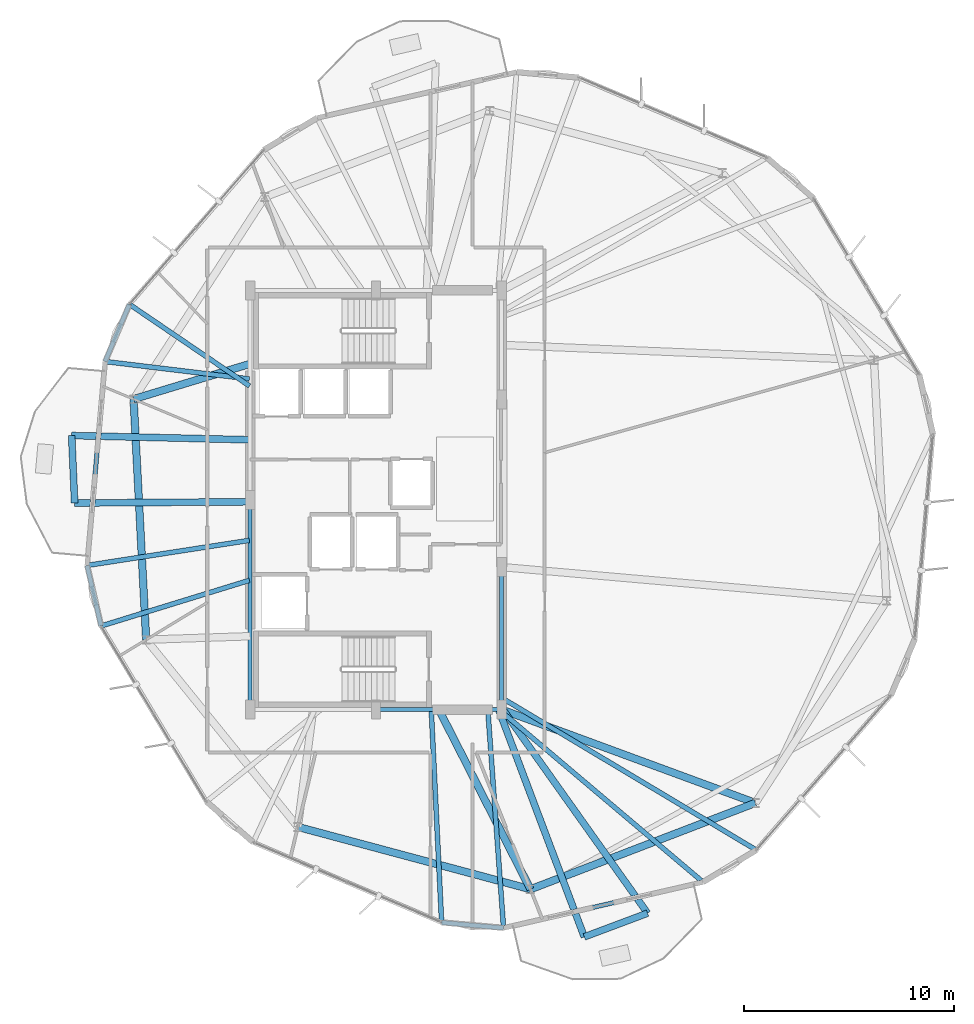
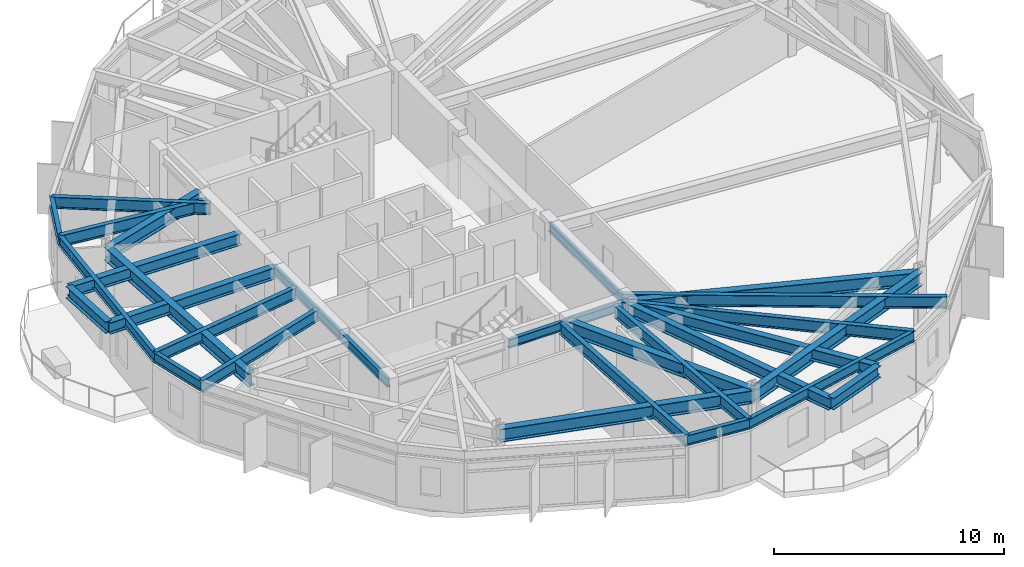
# One storey, part 5 of 27: 28 beams.
"""IFC4 building model written with IfcOpenShell, lengths in metres."""

from ifc_helpers import new_model, si_unit, direction, frame, origin, origin_2d, place, context, subcontext, project, spatial, i_section, extrude, material, material_profile, profile_set, type_object, element, save


model = new_model("IFC4")

# Units and contexts
model_context = context("Model", 3, precision=1e-05, world=origin(), true_north=direction((0.0, 1.0)))
body_context = subcontext(model_context, "Body", "Model", "MODEL_VIEW")
ifc_project = project(units=[si_unit("LENGTHUNIT", "METRE"), si_unit("AREAUNIT", "SQUARE_METRE"), si_unit("VOLUMEUNIT", "CUBIC_METRE"), si_unit("PLANEANGLEUNIT", "RADIAN"), si_unit("MASSUNIT", "GRAM", prefix="KILO")], contexts=[model_context])

# Site, building, storey
site_placement = place(None, origin())
site = spatial("IfcSite", under=ifc_project, at=site_placement, CompositionType="ELEMENT")
building_placement = place(site_placement, origin())
building = spatial("IfcBuilding", under=site, at=building_placement, Name="Soratama Intermodal Tower", CompositionType="ELEMENT")
storey_placement = place(building_placement, frame((0.0, 0.0, 212.199951171875)))
storey = spatial("IfcBuildingStorey", under=building, at=storey_placement, Name="L53", CompositionType="ELEMENT", Elevation=212.199951171875)

# Beams
ifc_material_1 = material(Name="Structural steel ASTM A992 Grade 50", Category="steel")
ifc_material_profile_1 = material_profile(ifc_material_1, i_section(OverallWidth=0.324951171875, OverallDepth=0.615966796875, WebThickness=0.013916015625, FlangeThickness=0.021484375, FilletRadius=0.013916015625, at=origin_2d()), Name="W24X117")
ifc_profile_set_1 = profile_set([ifc_material_profile_1], Name="Structural steel ASTM A992 Grade 50")
beam_type_1 = type_object("IfcBeamType", Name="BM-CANT-W24X117", PredefinedType="BEAM", material=ifc_profile_set_1)
beam_1_placement = place(storey_placement, frame((24.080078125, 28.074951171875, 2.991943359375), z_axis=(0.044324993646, -0.999017164486, 0.0), x_axis=(0.999017164486, 0.044324993646, 0.0)))
element("IfcBeam", 1, at=beam_1_placement, inside=storey, type_object=beam_type_1, Name="BM-L53-CBHDR-2", PredefinedType="BEAM", context=body_context, shape_type="SweptSolid", body=[
    extrude(i_section(OverallWidth=0.324951171875, OverallDepth=0.615966796875, WebThickness=0.013916015625, FlangeThickness=0.021484375, FilletRadius=0.013916015625, at=origin_2d()), origin(), (0.0, 0.0, 1.0), 3.22216796875),
])
beam_2_placement = place(storey_placement, frame((48.541015625, 4.154052734375, 2.991943359375), z_axis=(0.936438169224, 0.350832659853, 0.0), x_axis=(-0.350832659853, 0.936438169224, 0.0)))
element("IfcBeam", 2, at=beam_2_placement, inside=storey, type_object=beam_type_1, Name="BM-L53-CBHDR-3", PredefinedType="BEAM", context=body_context, shape_type="SweptSolid", body=[
    extrude(i_section(OverallWidth=0.324951171875, OverallDepth=0.615966796875, WebThickness=0.013916015625, FlangeThickness=0.021484375, FilletRadius=0.013916015625, at=origin_2d()), origin(), (0.0, 0.0, 1.0), 3.220458984375),
])
beam_3_placement = place(storey_placement, frame((32.56005859375, 27.873046875, 2.991943359375), z_axis=(-0.999716673744, 0.023802777946, 0.0), x_axis=(-0.023802777946, -0.999716673744, 0.0)))
element("IfcBeam", 3, at=beam_3_placement, inside=storey, type_object=beam_type_1, Name="BM-L53-CANT-2-1", PredefinedType="BEAM", context=body_context, shape_type="SweptSolid", body=[
    extrude(i_section(OverallWidth=0.324951171875, OverallDepth=0.615966796875, WebThickness=0.013916015625, FlangeThickness=0.021484375, FilletRadius=0.013916015625, at=origin_2d()), origin(), (0.0, 0.0, 1.0), 8.482421875),
])
beam_4_placement = place(storey_placement, frame((32.56005859375, 24.9140625, 2.991943359375), z_axis=(-0.999975714217, -0.006969288119, 0.0), x_axis=(0.006969288119, -0.999975714217, 0.0)))
element("IfcBeam", 4, at=beam_4_placement, inside=storey, type_object=beam_type_1, Name="BM-L53-CANT-2-2", PredefinedType="BEAM", context=body_context, shape_type="SweptSolid", body=[
    extrude(i_section(OverallWidth=0.324951171875, OverallDepth=0.615966796875, WebThickness=0.013916015625, FlangeThickness=0.021484375, FilletRadius=0.013916015625, at=origin_2d()), origin(), (0.0, 0.0, 1.0), 8.33740234375),
])
beam_5_placement = place(storey_placement, frame((44.468994140625, 14.962890625, 2.991943359375), z_axis=(0.352542976748, -0.935795623812, 0.0), x_axis=(0.935795623812, 0.352542976748, 0.0)))
element("IfcBeam", 5, at=beam_5_placement, inside=storey, type_object=beam_type_1, Name="BM-L53-CANT-3-1", PredefinedType="BEAM", context=body_context, shape_type="SweptSolid", body=[
    extrude(i_section(OverallWidth=0.324951171875, OverallDepth=0.615966796875, WebThickness=0.013916015625, FlangeThickness=0.021484375, FilletRadius=0.013916015625, at=origin_2d()), origin(), (0.0, 0.0, 1.0), 11.550537109375),
])
beam_6_placement = place(storey_placement, frame((44.623046875, 15.04296875, 2.991943359375), z_axis=(0.579195363408, -0.815188770167, 0.0), x_axis=(0.815188770167, 0.579195363408, 0.0)))
element("IfcBeam", 6, at=beam_6_placement, inside=storey, type_object=beam_type_1, Name="BM-L53-CANT-3-2", PredefinedType="BEAM", context=body_context, shape_type="SweptSolid", body=[
    extrude(i_section(OverallWidth=0.324951171875, OverallDepth=0.615966796875, WebThickness=0.013916015625, FlangeThickness=0.021484375, FilletRadius=0.013916015625, at=origin_2d()), origin(), (0.0, 0.0, 1.0), 11.971435546875),
])
ifc_material_2 = material(Name="Structural steel ASTM A992 Grade 50", Category="steel")
ifc_material_profile_2 = material_profile(ifc_material_2, i_section(OverallWidth=0.19091796875, OverallDepth=0.4599609375, WebThickness=0.010009765625, FlangeThickness=0.01611328125, FilletRadius=0.010986328125, at=origin_2d()), Name="W18X55")
ifc_profile_set_2 = profile_set([ifc_material_profile_2], Name="Structural steel ASTM A992 Grade 50")
beam_type_2 = type_object("IfcBeamType", Name="BM-FLR-W18X55", PredefinedType="BEAM", material=ifc_profile_set_2)
beam_7_placement = place(storey_placement, frame((38.60009765625, 15.0, 3.070068359375), z_axis=(1.0, 0.0, 0.0), x_axis=(0.0, 1.0, 0.0)))
element("IfcBeam", 7, at=beam_7_placement, inside=storey, type_object=beam_type_2, Name="BM-L53-CRING-02", PredefinedType="BEAM", context=body_context, shape_type="SweptSolid", body=[
    extrude(i_section(OverallWidth=0.19091796875, OverallDepth=0.4599609375, WebThickness=0.010009765625, FlangeThickness=0.01611328125, FilletRadius=0.010986328125, at=origin_2d()), origin(), (0.0, 0.0, 1.0), 6.0),
])
beam_8_placement = place(storey_placement, frame((44.60009765625, 15.0, 3.070068359375), z_axis=(0.0, 1.0, 0.0), x_axis=(-1.0, 0.0, 0.0)))
element("IfcBeam", 8, at=beam_8_placement, inside=storey, type_object=beam_type_2, Name="BM-L53-CRING-03", PredefinedType="BEAM", context=body_context, shape_type="SweptSolid", body=[
    extrude(i_section(OverallWidth=0.19091796875, OverallDepth=0.4599609375, WebThickness=0.010009765625, FlangeThickness=0.01611328125, FilletRadius=0.010986328125, at=origin_2d()), origin(), (0.0, 0.0, 1.0), 6.800048828125),
])
beam_9_placement = place(storey_placement, frame((32.60009765625, 25.0, 3.070068359375), z_axis=(0.0, -1.0, 0.0), x_axis=(1.0, 0.0, 0.0)))
element("IfcBeam", 9, at=beam_9_placement, inside=storey, type_object=beam_type_2, Name="BM-L53-CRING-09", PredefinedType="BEAM", context=body_context, shape_type="SweptSolid", body=[
    extrude(i_section(OverallWidth=0.19091796875, OverallDepth=0.4599609375, WebThickness=0.010009765625, FlangeThickness=0.01611328125, FilletRadius=0.010986328125, at=origin_2d()), origin(), (0.0, 0.0, 1.0), 10.0),
])
ifc_material_3 = material(Name="Structural steel ASTM A992 Grade 50", Category="steel")
ifc_material_profile_3 = material_profile(ifc_material_3, i_section(OverallWidth=0.35498046875, OverallDepth=0.695068359375, WebThickness=0.015380859375, FlangeThickness=0.02490234375, FilletRadius=0.01611328125, at=origin_2d()), Name="W27X146")
ifc_profile_set_3 = profile_set([ifc_material_profile_3], Name="Structural steel ASTM A992 Grade 50")
beam_type_3 = type_object("IfcBeamType", Name="BM-RING-W27X146", PredefinedType="BEAM", material=ifc_profile_set_3)
beam_10_placement = place(storey_placement, frame((27.033935546875, 29.81396484375, 2.95263671875), z_axis=(0.052286849724, -0.998632107108, 0.0), x_axis=(0.998632107108, 0.052286849724, 0.0)))
element("IfcBeam", 10, at=beam_10_placement, inside=storey, type_object=beam_type_3, Name="BM-L53-RING-05", PredefinedType="BEAM", context=body_context, shape_type="SweptSolid", body=[
    extrude(i_section(OverallWidth=0.35498046875, OverallDepth=0.695068359375, WebThickness=0.015380859375, FlangeThickness=0.02490234375, FilletRadius=0.01611328125, at=origin_2d()), origin(), (0.0, 0.0, 1.0), 11.49560546875),
])
beam_11_placement = place(storey_placement, frame((34.8701171875, 9.40087890625, 2.95263671875), z_axis=(0.965928616227, -0.258808632687, 0.0), x_axis=(0.258808632687, 0.965928616227, 0.0)))
element("IfcBeam", 11, at=beam_11_placement, inside=storey, type_object=beam_type_3, Name="BM-L53-RING-07", PredefinedType="BEAM", context=body_context, shape_type="SweptSolid", body=[
    extrude(i_section(OverallWidth=0.35498046875, OverallDepth=0.695068359375, WebThickness=0.015380859375, FlangeThickness=0.02490234375, FilletRadius=0.01611328125, at=origin_2d()), origin(), (0.0, 0.0, 1.0), 11.494384765625),
])
beam_12_placement = place(storey_placement, frame((45.972900390625, 6.426025390625, 2.95263671875), z_axis=(0.933603724339, 0.358307250695, 0.0), x_axis=(-0.358307250695, 0.933603724339, 0.0)))
element("IfcBeam", 12, at=beam_12_placement, inside=storey, type_object=beam_type_3, Name="BM-L53-RING-08", PredefinedType="BEAM", context=body_context, shape_type="SweptSolid", body=[
    extrude(i_section(OverallWidth=0.35498046875, OverallDepth=0.695068359375, WebThickness=0.015380859375, FlangeThickness=0.02490234375, FilletRadius=0.01611328125, at=origin_2d()), origin(), (0.0, 0.0, 1.0), 11.495361328125),
])
beam_13_placement = place(storey_placement, frame((32.60009765625, 31.5, 2.95263671875), z_axis=(-0.957056879321, -0.289900206526, 0.0), x_axis=(0.289900206526, -0.957056879321, 0.0)))
element("IfcBeam", 13, at=beam_13_placement, inside=storey, type_object=beam_type_3, Name="BM-L53-RAD-05", PredefinedType="BEAM", context=body_context, shape_type="SweptSolid", body=[
    extrude(i_section(OverallWidth=0.35498046875, OverallDepth=0.695068359375, WebThickness=0.015380859375, FlangeThickness=0.02490234375, FilletRadius=0.01611328125, at=origin_2d()), origin(), (0.0, 0.0, 1.0), 5.81591796875),
])
beam_14_placement = place(storey_placement, frame((41.60009765625, 15.0, 2.95263671875), z_axis=(0.454332323157, -0.890832273851, 0.0), x_axis=(0.890832273851, 0.454332323157, 0.0)))
element("IfcBeam", 14, at=beam_14_placement, inside=storey, type_object=beam_type_3, Name="BM-L53-RAD-08", PredefinedType="BEAM", context=body_context, shape_type="SweptSolid", body=[
    extrude(i_section(OverallWidth=0.35498046875, OverallDepth=0.695068359375, WebThickness=0.015380859375, FlangeThickness=0.02490234375, FilletRadius=0.01611328125, at=origin_2d()), origin(), (0.0, 0.0, 1.0), 9.624755859375),
])
beam_15_placement = place(storey_placement, frame((44.60009765625, 15.0, 2.95263671875), z_axis=(0.938460043872, -0.345387819785, 0.0), x_axis=(0.345387819785, 0.938460043872, 0.0)))
element("IfcBeam", 15, at=beam_15_placement, inside=storey, type_object=beam_type_3, Name="BM-L53-RAD-09", PredefinedType="BEAM", context=body_context, shape_type="SweptSolid", body=[
    extrude(i_section(OverallWidth=0.35498046875, OverallDepth=0.695068359375, WebThickness=0.015380859375, FlangeThickness=0.02490234375, FilletRadius=0.01611328125, at=origin_2d()), origin(), (0.0, 0.0, 1.0), 12.898681640625),
])
ifc_material_4 = material(Name="Structural steel ASTM A992 Grade 50", Category="steel")
ifc_material_profile_4 = material_profile(ifc_material_4, i_section(OverallWidth=0.2099609375, OverallDepth=0.537109375, WebThickness=0.010986328125, FlangeThickness=0.017333984375, FilletRadius=0.012939453125, at=origin_2d()), Name="W21X68")
ifc_profile_set_4 = profile_set([ifc_material_profile_4], Name="Structural steel ASTM A992 Grade 50")
beam_type_4 = type_object("IfcBeamType", Name="BM-SPN-W21X68", PredefinedType="SPANDREL", material=ifc_profile_set_4)
beam_16_placement = place(storey_placement, frame((26.833984375, 34.337890625, 3.031494140625), z_axis=(-0.391325355633, -0.920252392574, 0.0), x_axis=(0.920252392574, -0.391325355633, 0.0)))
element("IfcBeam", 16, at=beam_16_placement, inside=storey, type_object=beam_type_4, Name="BS-L53-CRN03", PredefinedType="SPANDREL", context=body_context, shape_type="SweptSolid", body=[
    extrude(i_section(OverallWidth=0.2099609375, OverallDepth=0.537109375, WebThickness=0.010986328125, FlangeThickness=0.017333984375, FilletRadius=0.012939453125, at=origin_2d()), origin(), (0.0, 0.0, 1.0), 2.966552734375),
])
beam_17_placement = place(storey_placement, frame((25.673095703125, 31.60791015625, 3.031494140625), z_axis=(-0.087847129731, -0.996133967797, 0.0), x_axis=(0.996133967797, -0.087847129731, 0.0)))
element("IfcBeam", 17, at=beam_17_placement, inside=storey, type_object=beam_type_4, Name="BS-L53-F04", PredefinedType="SPANDREL", context=body_context, shape_type="SweptSolid", body=[
    extrude(i_section(OverallWidth=0.2099609375, OverallDepth=0.537109375, WebThickness=0.010986328125, FlangeThickness=0.017333984375, FilletRadius=0.012939453125, at=origin_2d()), origin(), (0.0, 0.0, 1.0), 9.768798828125),
])
beam_18_placement = place(storey_placement, frame((24.81494140625, 21.876953125, 3.031494140625), z_axis=(0.224192248177, -0.974544937834, 0.0), x_axis=(0.974544937834, 0.224192248177, 0.0)))
element("IfcBeam", 18, at=beam_18_placement, inside=storey, type_object=beam_type_4, Name="BS-L53-CRN04", PredefinedType="SPANDREL", context=body_context, shape_type="SweptSolid", body=[
    extrude(i_section(OverallWidth=0.2099609375, OverallDepth=0.537109375, WebThickness=0.010986328125, FlangeThickness=0.017333984375, FilletRadius=0.012939453125, at=origin_2d()), origin(), (0.0, 0.0, 1.0), 2.96630859375),
])
beam_19_placement = place(storey_placement, frame((41.73291015625, 4.837890625, 3.031494140625), z_axis=(0.996122641277, -0.08797547121, 0.0), x_axis=(0.08797547121, 0.996122641277, 0.0)))
element("IfcBeam", 19, at=beam_19_placement, inside=storey, type_object=beam_type_4, Name="BS-L53-CRN06", PredefinedType="SPANDREL", context=body_context, shape_type="SweptSolid", body=[
    extrude(i_section(OverallWidth=0.2099609375, OverallDepth=0.537109375, WebThickness=0.010986328125, FlangeThickness=0.017333984375, FilletRadius=0.012939453125, at=origin_2d()), origin(), (0.0, 0.0, 1.0), 2.966552734375),
])
beam_20_placement = place(storey_placement, frame((44.68798828125, 4.576904296875, 3.031494140625), z_axis=(0.974520344766, 0.22429912536, 0.0), x_axis=(-0.22429912536, 0.974520344766, 0.0)))
element("IfcBeam", 20, at=beam_20_placement, inside=storey, type_object=beam_type_4, Name="BS-L53-F07", PredefinedType="SPANDREL", context=body_context, shape_type="SweptSolid", body=[
    extrude(i_section(OverallWidth=0.2099609375, OverallDepth=0.537109375, WebThickness=0.010986328125, FlangeThickness=0.017333984375, FilletRadius=0.012939453125, at=origin_2d()), origin(), (0.0, 0.0, 1.0), 9.76904296875),
])
ifc_material_5 = material(Name="Structural steel ASTM A992 Grade 50", Category="steel")
ifc_material_profile_5 = material_profile(ifc_material_5, i_section(OverallWidth=0.22900390625, OverallDepth=0.612060546875, WebThickness=0.011962890625, FlangeThickness=0.01953125, FilletRadius=0.012939453125, at=origin_2d()), Name="W24X84")
ifc_profile_set_5 = profile_set([ifc_material_profile_5], Name="Structural steel ASTM A992 Grade 50")
beam_type_5 = type_object("IfcBeamType", Name="BM-TIE-W24X84", PredefinedType="BEAM", material=ifc_profile_set_5)
beam_21_placement = place(storey_placement, frame((32.56689453125, 30.44091796875, 2.994140625), z_axis=(-0.827020819727, 0.562171293948, 0.0), x_axis=(-0.562171293948, -0.827020819727, 0.0)))
element("IfcBeam", 21, at=beam_21_placement, inside=storey, type_object=beam_type_5, Name="BM-L53-TIE1-03", PredefinedType="BEAM", context=body_context, shape_type="SweptSolid", body=[
    extrude(i_section(OverallWidth=0.22900390625, OverallDepth=0.612060546875, WebThickness=0.011962890625, FlangeThickness=0.01953125, FilletRadius=0.012939453125, at=origin_2d()), origin(), (0.0, 0.0, 1.0), 6.931884765625),
])
beam_22_placement = place(storey_placement, frame((32.56005859375, 30.777099609375, 2.994140625), z_axis=(-0.992802035896, 0.119766929992, 0.0), x_axis=(-0.119766929992, -0.992802035896, 0.0)))
element("IfcBeam", 22, at=beam_22_placement, inside=storey, type_object=beam_type_5, Name="BM-L53-TIE0-04", PredefinedType="BEAM", context=body_context, shape_type="SweptSolid", body=[
    extrude(i_section(OverallWidth=0.22900390625, OverallDepth=0.612060546875, WebThickness=0.011962890625, FlangeThickness=0.01953125, FilletRadius=0.012939453125, at=origin_2d()), origin(), (0.0, 0.0, 1.0), 6.93701171875),
])
beam_23_placement = place(storey_placement, frame((32.56005859375, 23.074951171875, 2.994140625), z_axis=(-0.988247846214, -0.152860048587, 0.0), x_axis=(0.152860048587, -0.988247846214, 0.0)))
element("IfcBeam", 23, at=beam_23_placement, inside=storey, type_object=beam_type_5, Name="BM-L53-TIE1-04", PredefinedType="BEAM", context=body_context, shape_type="SweptSolid", body=[
    extrude(i_section(OverallWidth=0.22900390625, OverallDepth=0.612060546875, WebThickness=0.011962890625, FlangeThickness=0.01953125, FilletRadius=0.012939453125, at=origin_2d()), origin(), (0.0, 0.0, 1.0), 7.837158203125),
])
beam_24_placement = place(storey_placement, frame((32.56201171875, 21.16796875, 2.994140625), z_axis=(-0.95567280968, -0.294430774273, 0.0), x_axis=(0.294430774273, -0.95567280968, 0.0)))
element("IfcBeam", 24, at=beam_24_placement, inside=storey, type_object=beam_type_5, Name="BM-L53-TIE0-05", PredefinedType="BEAM", context=body_context, shape_type="SweptSolid", body=[
    extrude(i_section(OverallWidth=0.22900390625, OverallDepth=0.612060546875, WebThickness=0.011962890625, FlangeThickness=0.01953125, FilletRadius=0.012939453125, at=origin_2d()), origin(), (0.0, 0.0, 1.0), 7.410400390625),
])
beam_25_placement = place(storey_placement, frame((41.239013671875, 14.9599609375, 2.994140625), z_axis=(0.048736036075, -0.998811693358, 0.0), x_axis=(0.998811693358, 0.048736036075, 0.0)))
element("IfcBeam", 25, at=beam_25_placement, inside=storey, type_object=beam_type_5, Name="BM-L53-TIE1-06", PredefinedType="BEAM", context=body_context, shape_type="SweptSolid", body=[
    extrude(i_section(OverallWidth=0.22900390625, OverallDepth=0.612060546875, WebThickness=0.011962890625, FlangeThickness=0.01953125, FilletRadius=0.012939453125, at=origin_2d()), origin(), (0.0, 0.0, 1.0), 10.134033203125),
])
beam_26_placement = place(storey_placement, frame((43.93896484375, 14.9599609375, 2.994140625), z_axis=(0.071952033453, -0.997408093451, 0.0), x_axis=(0.997408093451, 0.071952033453, 0.0)))
element("IfcBeam", 26, at=beam_26_placement, inside=storey, type_object=beam_type_5, Name="BM-L53-TIE0-07", PredefinedType="BEAM", context=body_context, shape_type="SweptSolid", body=[
    extrude(i_section(OverallWidth=0.22900390625, OverallDepth=0.612060546875, WebThickness=0.011962890625, FlangeThickness=0.01953125, FilletRadius=0.012939453125, at=origin_2d()), origin(), (0.0, 0.0, 1.0), 10.41015625),
])
beam_27_placement = place(storey_placement, frame((44.4990234375, 14.97412109375, 2.994140625), z_axis=(0.763744572956, -0.645518572375, 0.0), x_axis=(0.645518572375, 0.763744572956, 0.0)))
element("IfcBeam", 27, at=beam_27_placement, inside=storey, type_object=beam_type_5, Name="BM-L53-TIE1-07", PredefinedType="BEAM", context=body_context, shape_type="SweptSolid", body=[
    extrude(i_section(OverallWidth=0.22900390625, OverallDepth=0.612060546875, WebThickness=0.011962890625, FlangeThickness=0.01953125, FilletRadius=0.012939453125, at=origin_2d()), origin(), (0.0, 0.0, 1.0), 12.71240234375),
])
beam_28_placement = place(storey_placement, frame((44.634033203125, 15.5390625, 2.994140625), z_axis=(0.858292917093, -0.513160080743, 0.0), x_axis=(0.513160080743, 0.858292917093, 0.0)))
element("IfcBeam", 28, at=beam_28_placement, inside=storey, type_object=beam_type_5, Name="BM-L53-TIE0-08", PredefinedType="BEAM", context=body_context, shape_type="SweptSolid", body=[
    extrude(i_section(OverallWidth=0.22900390625, OverallDepth=0.612060546875, WebThickness=0.011962890625, FlangeThickness=0.01953125, FilletRadius=0.012939453125, at=origin_2d()), origin(), (0.0, 0.0, 1.0), 14.11865234375),
])

save(model, "model.ifc")
